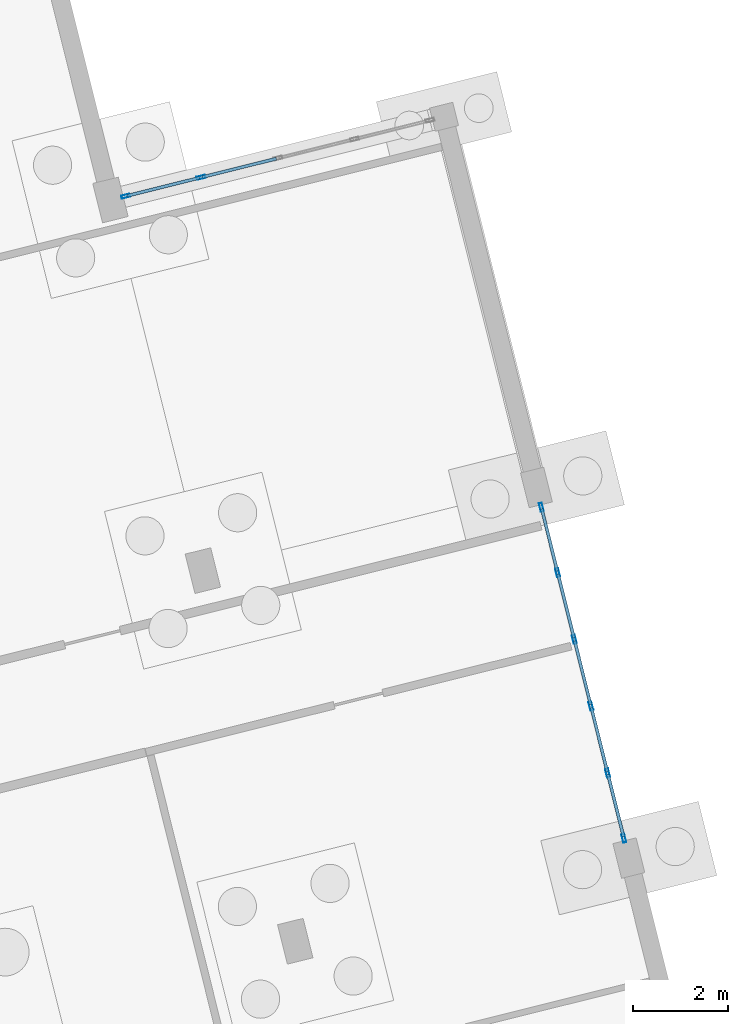
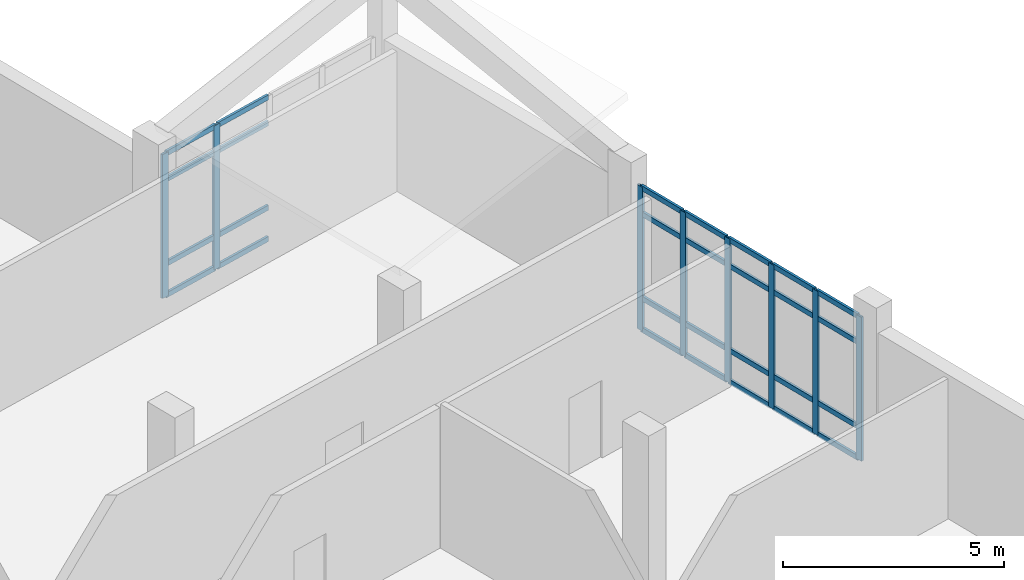
# One storey, part 95 of 173: 36 members, 2 elements without a shape of their own.
"""IFC4 building model written with IfcOpenShell, lengths in metres."""

import ifcopenshell
import ifcopenshell.guid

model = None  # the IFC model being written
_history = None  # IfcOwnerHistory: only IFC2X3 demands one
_inside = {}  # id of a spatial element -> (the spatial element, [elements in it])
_under = {}  # id of a project, library or spatial element -> (it, [spatial elements below it])
_declared = {}  # id of a project -> (the project, [libraries it declares])
_typed = {}  # id of a type object -> (the type object, [elements of that type])
_made_of = {}  # id of a material, layer set ... -> (it, [elements and type objects made of it])


def new_model(schema):
    """Start an empty IFC model of exactly this schema.

    Asked for "IFC4X3", IfcOpenShell would pick the latest addendum, in which some entities
    have other attributes; the version numbers below select the first issue.
    IFC2X3 requires an IfcOwnerHistory on every rooted entity: one is made here for all.
    """
    global model, _history
    if schema == "IFC4X3":
        model = ifcopenshell.file(schema_version=(4, 3, 0, 0))
    else:
        model = ifcopenshell.file(schema=schema)
    _inside.clear()
    _under.clear()
    _declared.clear()
    _typed.clear()
    _made_of.clear()
    _history = None
    if model.schema == "IFC2X3":
        org = make("IfcOrganization", Name="unknown")
        user = make(
            "IfcPersonAndOrganization",
            ThePerson=make("IfcPerson", FamilyName="unknown"),
            TheOrganization=org,
        )
        app = make(
            "IfcApplication",
            ApplicationDeveloper=org,
            Version="unknown",
            ApplicationFullName="unknown",
            ApplicationIdentifier="unknown",
        )
        _history = make(
            "IfcOwnerHistory",
            OwningUser=user,
            OwningApplication=app,
            ChangeAction="ADDED",
            CreationDate=0,
        )
    return model


def make(cls, **values):
    """One entity of the class cls with the attributes given. An attribute that is None is left unset."""
    return model.create_entity(
        cls, **{name: value for name, value in values.items() if value is not None}
    )


def rooted(cls, **values):
    """An entity with a GlobalId (a new one), such as an element, a storey or a relation."""
    return make(cls, GlobalId=ifcopenshell.guid.new(), OwnerHistory=_history, **values)


def si_unit(unit_type, name, prefix=None):
    """IfcSIUnit, for example si_unit("LENGTHUNIT", "METRE", prefix="MILLI")."""
    return make("IfcSIUnit", UnitType=unit_type, Prefix=prefix, Name=name)


def assignment(units):
    """IfcUnitAssignment: the units of a project."""
    return None if units is None else make("IfcUnitAssignment", Units=units)


def point(xyz):
    """IfcCartesianPoint."""
    return None if xyz is None else make("IfcCartesianPoint", Coordinates=xyz)


def direction(xyz):
    """IfcDirection."""
    return None if xyz is None else make("IfcDirection", DirectionRatios=xyz)


def frame(location, z_axis=None, x_axis=None):
    """IfcAxis2Placement3D, a coordinate frame: its origin and axes. An axis left out is left unset."""
    return make(
        "IfcAxis2Placement3D",
        Location=point(location),
        Axis=direction(z_axis),
        RefDirection=direction(x_axis),
    )


def frame_2d(location, x_axis=None):
    """IfcAxis2Placement2D, a coordinate frame in the plane: its origin and x axis."""
    return make(
        "IfcAxis2Placement2D", Location=point(location), RefDirection=direction(x_axis)
    )


def origin():
    """The frame at (0, 0, 0) with its axes left unset."""
    return frame((0.0, 0.0, 0.0))


def origin_2d():
    """The frame at (0, 0) in the plane with its x axis left unset."""
    return frame_2d((0.0, 0.0))


def place(relative_to, where):
    """IfcLocalPlacement: puts the frame where relative to a parent placement (None: the world)."""
    return make(
        "IfcLocalPlacement", PlacementRelTo=relative_to, RelativePlacement=where
    )


def context(
    kind, dimensions, precision=None, world=None, true_north=None, identifier=None
):
    """IfcGeometricRepresentationContext, for example the 3D "Model" context."""
    return make(
        "IfcGeometricRepresentationContext",
        ContextIdentifier=identifier,
        ContextType=kind,
        CoordinateSpaceDimension=dimensions,
        Precision=precision,
        WorldCoordinateSystem=world,
        TrueNorth=true_north,
    )


def subcontext(parent, identifier, kind, view, scale=None):
    """IfcGeometricRepresentationSubContext, for example "Body" below "Model"."""
    return make(
        "IfcGeometricRepresentationSubContext",
        ContextIdentifier=identifier,
        ContextType=kind,
        ParentContext=parent,
        TargetScale=scale,
        TargetView=view,
    )


def project(units=None, contexts=None):
    """IfcProject with its units and contexts."""
    return rooted(
        "IfcProject",
        Name="project",
        RepresentationContexts=contexts,
        UnitsInContext=assignment(units),
    )


def spatial(cls, under=None, at=None, **own):
    """A site, building, storey or space (cls), placed at a placement, below another one or the project."""
    s = rooted(cls, ObjectPlacement=at, **own)
    if under is not None:
        _under.setdefault(under.id(), (under, []))[1].append(s)
    return s


def profile(cls, at=None, kind="AREA", **sizes):
    """A parametric profile (cls). Its sizes go by their IFC names, for example OverallWidth=200.0."""
    return make(cls, ProfileType=kind, Position=at, **sizes)


def hollow_rectangle(**sizes):
    """IfcRectangleHollowProfileDef."""
    return profile("IfcRectangleHollowProfileDef", **sizes)


def extrude(swept, where, along, depth):
    """IfcExtrudedAreaSolid: the profile swept, set in the frame where, extruded along a direction by depth."""
    return make(
        "IfcExtrudedAreaSolid",
        SweptArea=swept,
        Position=where,
        ExtrudedDirection=direction(along),
        Depth=depth,
    )


def shape(context_of_items, identifier, shape_type, items):
    """IfcShapeRepresentation: the items that make up one representation, for example the "Body"."""
    return make(
        "IfcShapeRepresentation",
        ContextOfItems=context_of_items,
        RepresentationIdentifier=identifier,
        RepresentationType=shape_type,
        Items=items,
    )


def material(Name=None, Category=None):
    """IfcMaterial."""
    return make("IfcMaterial", Name=Name, Category=Category)


def layer(
    of_material, thickness, ventilated=None, Name=None, Category=None, Priority=None
):
    """IfcMaterialLayer: one layer of a wall or slab, of a material (None: an air gap)."""
    return make(
        "IfcMaterialLayer",
        Material=of_material,
        LayerThickness=thickness,
        IsVentilated=ventilated,
        Name=Name,
        Category=Category,
        Priority=Priority,
    )


def layer_set(layers, Name=None):
    """IfcMaterialLayerSet."""
    return make("IfcMaterialLayerSet", MaterialLayers=layers, LayerSetName=Name)


def material_profile(
    of_material, cross_section, Name=None, Category=None, Priority=None
):
    """IfcMaterialProfile: a cross section and its material."""
    return make(
        "IfcMaterialProfile",
        Name=Name,
        Material=of_material,
        Profile=cross_section,
        Priority=Priority,
        Category=Category,
    )


def profile_set(profiles, Name=None, composite=None):
    """IfcMaterialProfileSet."""
    return make(
        "IfcMaterialProfileSet",
        Name=Name,
        MaterialProfiles=profiles,
        CompositeProfile=composite,
    )


def made_of(thing, what):
    """Note that an element or type object is made of a material, layer set ...; save() writes the relation."""
    if what is not None:
        _made_of.setdefault(what.id(), (what, []))[1].append(thing)
    return thing


def type_object(cls, material=None, **own):
    """A type object (cls), such as IfcWallType, which elements share."""
    return made_of(rooted(cls, **own), material)


def element(
    cls,
    number,
    at=None,
    inside=None,
    cuts=None,
    type_object=None,
    material=None,
    context=None,
    identifier="Body",
    shape_type=None,
    held_by="IfcProductDefinitionShape",
    body=None,
    shapes=None,
    **own,
):
    """One element of the class cls, such as IfcWall. Its Tag is "e" and its number.

    at: its placement. inside: the storey or other place that contains it. cuts: it is an
    opening in that element (IfcRelVoidsElement). A single representation is given by context,
    identifier, shape_type and body (its items); several are given by shapes. held_by: the class
    of the entity that holds the representations. save() writes the other relations.
    """
    e = rooted(cls, Tag="e%d" % number, ObjectPlacement=at, **own)
    if body is not None:
        shapes = [shape(context, identifier, shape_type, body)]
    if shapes is not None:
        e.Representation = make(held_by, Representations=shapes)
    if inside is not None:
        _inside.setdefault(inside.id(), (inside, []))[1].append(e)
    if cuts is not None:
        rooted(
            "IfcRelVoidsElement", RelatingBuildingElement=cuts, RelatedOpeningElement=e
        )
    if type_object is not None:
        _typed.setdefault(type_object.id(), (type_object, []))[1].append(e)
    return made_of(e, material)


def aggregate(whole, parts):
    """IfcRelAggregates: a whole, such as a stair, and the parts it consists of."""
    return rooted("IfcRelAggregates", RelatingObject=whole, RelatedObjects=parts)


def save(model, path):
    """Write the relations noted so far, then the file.

    IfcRelAggregates (storeys below a building ...), IfcRelContainedInSpatialStructure (elements
    in a storey), IfcRelDefinesByType, IfcRelAssociatesMaterial and IfcRelDeclares: one each for
    every whole, place, type object, material and project.
    """
    for whole, parts in _under.values():
        aggregate(whole, parts)
    for where, things in _inside.values():
        rooted(
            "IfcRelContainedInSpatialStructure",
            RelatedElements=things,
            RelatingStructure=where,
        )
    for kind, things in _typed.values():
        rooted("IfcRelDefinesByType", RelatedObjects=things, RelatingType=kind)
    for what, things in _made_of.values():
        rooted("IfcRelAssociatesMaterial", RelatedObjects=things, RelatingMaterial=what)
    for by, libraries in _declared.values():
        rooted("IfcRelDeclares", RelatingContext=by, RelatedDefinitions=libraries)
    model.write(path)


model = new_model("IFC4")

# Units and contexts
model_context = context("Model", 3, precision=1e-05, world=origin(), true_north=direction((0.0, 1.0)))
body_context = subcontext(model_context, "Body", "Model", "MODEL_VIEW")
ifc_project = project(units=[si_unit("LENGTHUNIT", "METRE"), si_unit("AREAUNIT", "SQUARE_METRE"), si_unit("VOLUMEUNIT", "CUBIC_METRE"), si_unit("PLANEANGLEUNIT", "RADIAN"), si_unit("MASSUNIT", "GRAM", prefix="KILO")], contexts=[model_context])

# Site, building, storey
site_placement = place(None, origin())
site = spatial("IfcSite", under=ifc_project, at=site_placement, CompositionType="ELEMENT")
building_placement = place(site_placement, origin())
building = spatial("IfcBuilding", under=site, at=building_placement, Name="Mawjan Specialist Oncology Clinic", CompositionType="ELEMENT")
storey_placement = place(building_placement, origin())
storey = spatial("IfcBuildingStorey", under=building, at=storey_placement, Name="L00", CompositionType="ELEMENT", Elevation=0.0)

# Curtain wall, members
ifc_material_1 = material(Name="Unitised spectrally selective aluminium curtain wall", Category="aluminium")
ifc_layer_1 = layer(ifc_material_1, 0.179931640625, Name="Unitised spectrally selective aluminium curtain wall", Category="aluminium")
ifc_layer_set_1 = layer_set([ifc_layer_1], Name="Unitised spectrally selective aluminium curtain wall")
curtain_wall_type_1 = type_object("IfcCurtainWallType", Name="CW-34", PredefinedType="NOTDEFINED", material=ifc_layer_set_1)
curtain_wall_1_placement = place(storey_placement, origin())
curtain_wall_1 = element("IfcCurtainWall", 1, at=curtain_wall_1_placement, inside=storey, type_object=curtain_wall_type_1, Name="L00 Unitised Curtain Wall CW-L00-075", PredefinedType="NOTDEFINED")
ifc_material_2 = material(Name="Thermally broken aluminium 6063-T6", Category="aluminium")
ifc_material_profile_1 = material_profile(ifc_material_2, hollow_rectangle(XDim=0.06494140625, YDim=0.179931640625, WallThickness=0.00390625, at=origin_2d()), Name="ALU MULLION 180x65x4", Category="aluminium")
ifc_profile_set_1 = profile_set([ifc_material_profile_1], Name="Thermally broken aluminium 6063-T6")
member_type_1 = type_object("IfcMemberType", Name="CW-M180", PredefinedType="MULLION", material=ifc_profile_set_1)
member_1_placement = place(storey_placement, frame((157.163330078125, 24.619140625, 0.0), z_axis=(0.0, 0.0, 1.0), x_axis=(0.970295720441, 0.241921919004, 0.0)))
member_1 = element("IfcMember", 2, at=member_1_placement, type_object=member_type_1, Name="CW-34 mullion 1", PredefinedType="MULLION", context=body_context, shape_type="SweptSolid", body=[
    extrude(hollow_rectangle(XDim=0.06494140625, YDim=0.179931640625, WallThickness=0.00390625, at=origin_2d()), origin(), (0.0, 0.0, 1.0), 3.985107421875),
])
member_2_placement = place(storey_placement, frame((157.50439453125, 23.25146484375, 0.0), z_axis=(0.0, 0.0, 1.0), x_axis=(0.970295720441, 0.241921919004, 0.0)))
member_2 = element("IfcMember", 3, at=member_2_placement, type_object=member_type_1, Name="CW-34 mullion 2", PredefinedType="MULLION", context=body_context, shape_type="SweptSolid", body=[
    extrude(hollow_rectangle(XDim=0.06494140625, YDim=0.179931640625, WallThickness=0.00390625, at=origin_2d()), origin(), (0.0, 0.0, 1.0), 3.985107421875),
])
member_3_placement = place(storey_placement, frame((157.853271484375, 21.852294921875, 0.0), z_axis=(0.0, 0.0, 1.0), x_axis=(0.970295720441, 0.241921919004, 0.0)))
member_3 = element("IfcMember", 4, at=member_3_placement, type_object=member_type_1, Name="CW-34 mullion 3", PredefinedType="MULLION", context=body_context, shape_type="SweptSolid", body=[
    extrude(hollow_rectangle(XDim=0.06494140625, YDim=0.179931640625, WallThickness=0.00390625, at=origin_2d()), origin(), (0.0, 0.0, 1.0), 3.985107421875),
])
member_4_placement = place(storey_placement, frame((158.201904296875, 20.453125, 0.0), z_axis=(0.0, 0.0, 1.0), x_axis=(0.970295720441, 0.241921919004, 0.0)))
member_4 = element("IfcMember", 5, at=member_4_placement, type_object=member_type_1, Name="CW-34 mullion 4", PredefinedType="MULLION", context=body_context, shape_type="SweptSolid", body=[
    extrude(hollow_rectangle(XDim=0.06494140625, YDim=0.179931640625, WallThickness=0.00390625, at=origin_2d()), origin(), (0.0, 0.0, 1.0), 3.985107421875),
])
member_5_placement = place(storey_placement, frame((158.55078125, 19.053955078125, 0.0), z_axis=(0.0, 0.0, 1.0), x_axis=(0.970295720441, 0.241921919004, 0.0)))
member_5 = element("IfcMember", 6, at=member_5_placement, type_object=member_type_1, Name="CW-34 mullion 5", PredefinedType="MULLION", context=body_context, shape_type="SweptSolid", body=[
    extrude(hollow_rectangle(XDim=0.06494140625, YDim=0.179931640625, WallThickness=0.00390625, at=origin_2d()), origin(), (0.0, 0.0, 1.0), 3.985107421875),
])
member_6_placement = place(storey_placement, frame((158.891845703125, 17.686279296875, 0.0), z_axis=(0.0, 0.0, 1.0), x_axis=(0.970295720441, 0.241921919004, 0.0)))
member_6 = element("IfcMember", 7, at=member_6_placement, type_object=member_type_1, Name="CW-34 mullion 6", PredefinedType="MULLION", context=body_context, shape_type="SweptSolid", body=[
    extrude(hollow_rectangle(XDim=0.06494140625, YDim=0.179931640625, WallThickness=0.00390625, at=origin_2d()), origin(), (0.0, 0.0, 1.0), 3.985107421875),
])

ifc_material_3 = material(Name="Unitised spectrally selective aluminium curtain wall", Category="aluminium")
ifc_layer_2 = layer(ifc_material_3, 0.179931640625, Name="Unitised spectrally selective aluminium curtain wall", Category="aluminium")
ifc_layer_set_2 = layer_set([ifc_layer_2], Name="Unitised spectrally selective aluminium curtain wall")
curtain_wall_type_2 = type_object("IfcCurtainWallType", Name="CW-41", PredefinedType="NOTDEFINED", material=ifc_layer_set_2)
curtain_wall_2_placement = place(storey_placement, origin())
curtain_wall_2 = element("IfcCurtainWall", 8, at=curtain_wall_2_placement, inside=storey, type_object=curtain_wall_type_2, Name="L00 Unitised Curtain Wall CW-L00-085", PredefinedType="NOTDEFINED")
member_7_placement = place(storey_placement, frame((148.4560546875, 31.1337890625, 0.0), z_axis=(0.0, 0.0, 1.0), x_axis=(-0.241921932281, 0.97029571713, 0.0)))
member_7 = element("IfcMember", 9, at=member_7_placement, type_object=member_type_1, Name="CW-41 mullion 1", PredefinedType="MULLION", context=body_context, shape_type="SweptSolid", body=[
    extrude(hollow_rectangle(XDim=0.06494140625, YDim=0.179931640625, WallThickness=0.00390625, at=origin_2d()), origin(), (0.0, 0.0, 1.0), 3.985107421875),
])
member_8_placement = place(storey_placement, frame((150.0341796875, 31.527099609375, 0.0), z_axis=(0.0, 0.0, 1.0), x_axis=(-0.241921932281, 0.97029571713, 0.0)))
member_8 = element("IfcMember", 10, at=member_8_placement, type_object=member_type_1, Name="CW-41 mullion 2", PredefinedType="MULLION", context=body_context, shape_type="SweptSolid", body=[
    extrude(hollow_rectangle(XDim=0.06494140625, YDim=0.179931640625, WallThickness=0.00390625, at=origin_2d()), origin(), (0.0, 0.0, 1.0), 3.985107421875),
])

# Member
ifc_material_4 = material(Name="Thermally broken aluminium 6063-T6", Category="aluminium")
ifc_material_profile_2 = material_profile(ifc_material_4, hollow_rectangle(XDim=0.06494140625, YDim=0.139892578125, WallThickness=0.00390625, at=origin_2d()), Name="ALU TRANSOM 140x65x4", Category="aluminium")
ifc_profile_set_2 = profile_set([ifc_material_profile_2], Name="Thermally broken aluminium 6063-T6")
member_type_2 = type_object("IfcMemberType", Name="CW-T140", PredefinedType="USERDEFINED", material=ifc_profile_set_2)
member_9_placement = place(storey_placement, frame((157.171142578125, 24.587646484375, 0.032470703125), z_axis=(0.241852005023, -0.97031314928, 0.0), x_axis=(0.97031314928, 0.241852005023, 0.0)))
member_9 = element("IfcMember", 11, at=member_9_placement, type_object=member_type_2, Name="CW-34 transom 1.1", ObjectType="TRANSOM", PredefinedType="USERDEFINED", context=body_context, shape_type="SweptSolid", body=[
    extrude(hollow_rectangle(XDim=0.06494140625, YDim=0.139892578125, WallThickness=0.00390625, at=origin_2d()), origin(), (0.0, 0.0, 1.0), 1.3447265625),
])

member_10_placement = place(storey_placement, frame((157.171142578125, 24.587646484375, 0.89990234375), z_axis=(0.241852005023, -0.97031314928, 0.0), x_axis=(0.97031314928, 0.241852005023, 0.0)))
member_10 = element("IfcMember", 12, at=member_10_placement, type_object=member_type_2, Name="CW-34 transom 1.2", ObjectType="TRANSOM", PredefinedType="USERDEFINED", context=body_context, shape_type="SweptSolid", body=[
    extrude(hollow_rectangle(XDim=0.06494140625, YDim=0.139892578125, WallThickness=0.00390625, at=origin_2d()), origin(), (0.0, 0.0, 1.0), 1.3447265625),
])

member_11_placement = place(storey_placement, frame((157.171142578125, 24.587646484375, 3.235107421875), z_axis=(0.241852005023, -0.97031314928, 0.0), x_axis=(0.97031314928, 0.241852005023, 0.0)))
member_11 = element("IfcMember", 13, at=member_11_placement, type_object=member_type_2, Name="CW-34 transom 1.3", ObjectType="TRANSOM", PredefinedType="USERDEFINED", context=body_context, shape_type="SweptSolid", body=[
    extrude(hollow_rectangle(XDim=0.06494140625, YDim=0.139892578125, WallThickness=0.00390625, at=origin_2d()), origin(), (0.0, 0.0, 1.0), 1.3447265625),
])

member_12_placement = place(storey_placement, frame((157.171142578125, 24.587646484375, 3.952392578125), z_axis=(0.241852005023, -0.97031314928, 0.0), x_axis=(0.97031314928, 0.241852005023, 0.0)))
member_12 = element("IfcMember", 14, at=member_12_placement, type_object=member_type_2, Name="CW-34 transom 1.4", ObjectType="TRANSOM", PredefinedType="USERDEFINED", context=body_context, shape_type="SweptSolid", body=[
    extrude(hollow_rectangle(XDim=0.06494140625, YDim=0.139892578125, WallThickness=0.00390625, at=origin_2d()), origin(), (0.0, 0.0, 1.0), 1.3447265625),
])

member_13_placement = place(storey_placement, frame((157.51220703125, 23.219970703125, 0.032470703125), z_axis=(0.241826391932, -0.970319533023, 0.0), x_axis=(0.970319533023, 0.241826391932, 0.0)))
member_13 = element("IfcMember", 15, at=member_13_placement, type_object=member_type_2, Name="CW-34 transom 2.1", ObjectType="TRANSOM", PredefinedType="USERDEFINED", context=body_context, shape_type="SweptSolid", body=[
    extrude(hollow_rectangle(XDim=0.06494140625, YDim=0.139892578125, WallThickness=0.00390625, at=origin_2d()), origin(), (0.0, 0.0, 1.0), 1.376953125),
])

member_14_placement = place(storey_placement, frame((157.51220703125, 23.219970703125, 0.89990234375), z_axis=(0.241826391932, -0.970319533023, 0.0), x_axis=(0.970319533023, 0.241826391932, 0.0)))
member_14 = element("IfcMember", 16, at=member_14_placement, type_object=member_type_2, Name="CW-34 transom 2.2", ObjectType="TRANSOM", PredefinedType="USERDEFINED", context=body_context, shape_type="SweptSolid", body=[
    extrude(hollow_rectangle(XDim=0.06494140625, YDim=0.139892578125, WallThickness=0.00390625, at=origin_2d()), origin(), (0.0, 0.0, 1.0), 1.376953125),
])

member_15_placement = place(storey_placement, frame((157.51220703125, 23.219970703125, 3.235107421875), z_axis=(0.241826391932, -0.970319533023, 0.0), x_axis=(0.970319533023, 0.241826391932, 0.0)))
member_15 = element("IfcMember", 17, at=member_15_placement, type_object=member_type_2, Name="CW-34 transom 2.3", ObjectType="TRANSOM", PredefinedType="USERDEFINED", context=body_context, shape_type="SweptSolid", body=[
    extrude(hollow_rectangle(XDim=0.06494140625, YDim=0.139892578125, WallThickness=0.00390625, at=origin_2d()), origin(), (0.0, 0.0, 1.0), 1.376953125),
])

member_16_placement = place(storey_placement, frame((157.51220703125, 23.219970703125, 3.952392578125), z_axis=(0.241826391932, -0.970319533023, 0.0), x_axis=(0.970319533023, 0.241826391932, 0.0)))
member_16 = element("IfcMember", 18, at=member_16_placement, type_object=member_type_2, Name="CW-34 transom 2.4", ObjectType="TRANSOM", PredefinedType="USERDEFINED", context=body_context, shape_type="SweptSolid", body=[
    extrude(hollow_rectangle(XDim=0.06494140625, YDim=0.139892578125, WallThickness=0.00390625, at=origin_2d()), origin(), (0.0, 0.0, 1.0), 1.376953125),
])

member_17_placement = place(storey_placement, frame((157.861083984375, 21.82080078125, 0.032470703125), z_axis=(0.241826391932, -0.970319533023, 0.0), x_axis=(0.970319533023, 0.241826391932, 0.0)))
member_17 = element("IfcMember", 19, at=member_17_placement, type_object=member_type_2, Name="CW-34 transom 3.1", ObjectType="TRANSOM", PredefinedType="USERDEFINED", context=body_context, shape_type="SweptSolid", body=[
    extrude(hollow_rectangle(XDim=0.06494140625, YDim=0.139892578125, WallThickness=0.00390625, at=origin_2d()), origin(), (0.0, 0.0, 1.0), 1.376953125),
])

member_18_placement = place(storey_placement, frame((157.861083984375, 21.82080078125, 0.89990234375), z_axis=(0.241826391932, -0.970319533023, 0.0), x_axis=(0.970319533023, 0.241826391932, 0.0)))
member_18 = element("IfcMember", 20, at=member_18_placement, type_object=member_type_2, Name="CW-34 transom 3.2", ObjectType="TRANSOM", PredefinedType="USERDEFINED", context=body_context, shape_type="SweptSolid", body=[
    extrude(hollow_rectangle(XDim=0.06494140625, YDim=0.139892578125, WallThickness=0.00390625, at=origin_2d()), origin(), (0.0, 0.0, 1.0), 1.376953125),
])

member_19_placement = place(storey_placement, frame((157.861083984375, 21.82080078125, 3.235107421875), z_axis=(0.241826391932, -0.970319533023, 0.0), x_axis=(0.970319533023, 0.241826391932, 0.0)))
member_19 = element("IfcMember", 21, at=member_19_placement, type_object=member_type_2, Name="CW-34 transom 3.3", ObjectType="TRANSOM", PredefinedType="USERDEFINED", context=body_context, shape_type="SweptSolid", body=[
    extrude(hollow_rectangle(XDim=0.06494140625, YDim=0.139892578125, WallThickness=0.00390625, at=origin_2d()), origin(), (0.0, 0.0, 1.0), 1.376953125),
])

member_20_placement = place(storey_placement, frame((157.861083984375, 21.82080078125, 3.952392578125), z_axis=(0.241826391932, -0.970319533023, 0.0), x_axis=(0.970319533023, 0.241826391932, 0.0)))
member_20 = element("IfcMember", 22, at=member_20_placement, type_object=member_type_2, Name="CW-34 transom 3.4", ObjectType="TRANSOM", PredefinedType="USERDEFINED", context=body_context, shape_type="SweptSolid", body=[
    extrude(hollow_rectangle(XDim=0.06494140625, YDim=0.139892578125, WallThickness=0.00390625, at=origin_2d()), origin(), (0.0, 0.0, 1.0), 1.376953125),
])

member_21_placement = place(storey_placement, frame((158.2099609375, 20.421630859375, 0.032470703125), z_axis=(0.241826391932, -0.970319533023, 0.0), x_axis=(0.970319533023, 0.241826391932, 0.0)))
member_21 = element("IfcMember", 23, at=member_21_placement, type_object=member_type_2, Name="CW-34 transom 4.1", ObjectType="TRANSOM", PredefinedType="USERDEFINED", context=body_context, shape_type="SweptSolid", body=[
    extrude(hollow_rectangle(XDim=0.06494140625, YDim=0.139892578125, WallThickness=0.00390625, at=origin_2d()), origin(), (0.0, 0.0, 1.0), 1.376953125),
])

member_22_placement = place(storey_placement, frame((158.2099609375, 20.421630859375, 0.89990234375), z_axis=(0.241826391932, -0.970319533023, 0.0), x_axis=(0.970319533023, 0.241826391932, 0.0)))
member_22 = element("IfcMember", 24, at=member_22_placement, type_object=member_type_2, Name="CW-34 transom 4.2", ObjectType="TRANSOM", PredefinedType="USERDEFINED", context=body_context, shape_type="SweptSolid", body=[
    extrude(hollow_rectangle(XDim=0.06494140625, YDim=0.139892578125, WallThickness=0.00390625, at=origin_2d()), origin(), (0.0, 0.0, 1.0), 1.376953125),
])

member_23_placement = place(storey_placement, frame((158.2099609375, 20.421630859375, 3.235107421875), z_axis=(0.241826391932, -0.970319533023, 0.0), x_axis=(0.970319533023, 0.241826391932, 0.0)))
member_23 = element("IfcMember", 25, at=member_23_placement, type_object=member_type_2, Name="CW-34 transom 4.3", ObjectType="TRANSOM", PredefinedType="USERDEFINED", context=body_context, shape_type="SweptSolid", body=[
    extrude(hollow_rectangle(XDim=0.06494140625, YDim=0.139892578125, WallThickness=0.00390625, at=origin_2d()), origin(), (0.0, 0.0, 1.0), 1.376953125),
])

member_24_placement = place(storey_placement, frame((158.2099609375, 20.421630859375, 3.952392578125), z_axis=(0.241826391932, -0.970319533023, 0.0), x_axis=(0.970319533023, 0.241826391932, 0.0)))
member_24 = element("IfcMember", 26, at=member_24_placement, type_object=member_type_2, Name="CW-34 transom 4.4", ObjectType="TRANSOM", PredefinedType="USERDEFINED", context=body_context, shape_type="SweptSolid", body=[
    extrude(hollow_rectangle(XDim=0.06494140625, YDim=0.139892578125, WallThickness=0.00390625, at=origin_2d()), origin(), (0.0, 0.0, 1.0), 1.376953125),
])

member_25_placement = place(storey_placement, frame((158.558837890625, 19.0224609375, 0.032470703125), z_axis=(0.241852005023, -0.97031314928, 0.0), x_axis=(0.97031314928, 0.241852005023, 0.0)))
member_25 = element("IfcMember", 27, at=member_25_placement, type_object=member_type_2, Name="CW-34 transom 5.1", ObjectType="TRANSOM", PredefinedType="USERDEFINED", context=body_context, shape_type="SweptSolid", body=[
    extrude(hollow_rectangle(XDim=0.06494140625, YDim=0.139892578125, WallThickness=0.00390625, at=origin_2d()), origin(), (0.0, 0.0, 1.0), 1.3447265625),
])

member_26_placement = place(storey_placement, frame((158.558837890625, 19.0224609375, 0.89990234375), z_axis=(0.241852005023, -0.97031314928, 0.0), x_axis=(0.97031314928, 0.241852005023, 0.0)))
member_26 = element("IfcMember", 28, at=member_26_placement, type_object=member_type_2, Name="CW-34 transom 5.2", ObjectType="TRANSOM", PredefinedType="USERDEFINED", context=body_context, shape_type="SweptSolid", body=[
    extrude(hollow_rectangle(XDim=0.06494140625, YDim=0.139892578125, WallThickness=0.00390625, at=origin_2d()), origin(), (0.0, 0.0, 1.0), 1.3447265625),
])

member_27_placement = place(storey_placement, frame((158.558837890625, 19.0224609375, 3.235107421875), z_axis=(0.241852005023, -0.97031314928, 0.0), x_axis=(0.97031314928, 0.241852005023, 0.0)))
member_27 = element("IfcMember", 29, at=member_27_placement, type_object=member_type_2, Name="CW-34 transom 5.3", ObjectType="TRANSOM", PredefinedType="USERDEFINED", context=body_context, shape_type="SweptSolid", body=[
    extrude(hollow_rectangle(XDim=0.06494140625, YDim=0.139892578125, WallThickness=0.00390625, at=origin_2d()), origin(), (0.0, 0.0, 1.0), 1.3447265625),
])

member_28_placement = place(storey_placement, frame((158.558837890625, 19.0224609375, 3.952392578125), z_axis=(0.241852005023, -0.97031314928, 0.0), x_axis=(0.97031314928, 0.241852005023, 0.0)))
member_28 = element("IfcMember", 30, at=member_28_placement, type_object=member_type_2, Name="CW-34 transom 5.4", ObjectType="TRANSOM", PredefinedType="USERDEFINED", context=body_context, shape_type="SweptSolid", body=[
    extrude(hollow_rectangle(XDim=0.06494140625, YDim=0.139892578125, WallThickness=0.00390625, at=origin_2d()), origin(), (0.0, 0.0, 1.0), 1.3447265625),
])

aggregate(curtain_wall_1, [member_1, member_2, member_3, member_4, member_5, member_6, member_9, member_10, member_11, member_12, member_13, member_14, member_15, member_16, member_17, member_18, member_19, member_20, member_21, member_22, member_23, member_24, member_25, member_26, member_27, member_28])

member_29_placement = place(storey_placement, frame((148.48779296875, 31.1416015625, 0.032470703125), z_axis=(0.970298672181, 0.241910079914, 0.0), x_axis=(-0.241910079914, 0.970298672181, 0.0)))
member_29 = element("IfcMember", 31, at=member_29_placement, type_object=member_type_2, Name="CW-41 transom 1.1", ObjectType="TRANSOM", PredefinedType="USERDEFINED", context=body_context, shape_type="SweptSolid", body=[
    extrude(hollow_rectangle(XDim=0.06494140625, YDim=0.139892578125, WallThickness=0.00390625, at=origin_2d()), origin(), (0.0, 0.0, 1.0), 1.561279296875),
])

member_30_placement = place(storey_placement, frame((148.48779296875, 31.1416015625, 0.89990234375), z_axis=(0.970298672181, 0.241910079914, 0.0), x_axis=(-0.241910079914, 0.970298672181, 0.0)))
member_30 = element("IfcMember", 32, at=member_30_placement, type_object=member_type_2, Name="CW-41 transom 1.2", ObjectType="TRANSOM", PredefinedType="USERDEFINED", context=body_context, shape_type="SweptSolid", body=[
    extrude(hollow_rectangle(XDim=0.06494140625, YDim=0.139892578125, WallThickness=0.00390625, at=origin_2d()), origin(), (0.0, 0.0, 1.0), 1.561279296875),
])

member_31_placement = place(storey_placement, frame((148.48779296875, 31.1416015625, 3.235107421875), z_axis=(0.970298672181, 0.241910079914, 0.0), x_axis=(-0.241910079914, 0.970298672181, 0.0)))
member_31 = element("IfcMember", 33, at=member_31_placement, type_object=member_type_2, Name="CW-41 transom 1.3", ObjectType="TRANSOM", PredefinedType="USERDEFINED", context=body_context, shape_type="SweptSolid", body=[
    extrude(hollow_rectangle(XDim=0.06494140625, YDim=0.139892578125, WallThickness=0.00390625, at=origin_2d()), origin(), (0.0, 0.0, 1.0), 1.561279296875),
])

member_32_placement = place(storey_placement, frame((148.48779296875, 31.1416015625, 3.952392578125), z_axis=(0.970298672181, 0.241910079914, 0.0), x_axis=(-0.241910079914, 0.970298672181, 0.0)))
member_32 = element("IfcMember", 34, at=member_32_placement, type_object=member_type_2, Name="CW-41 transom 1.4", ObjectType="TRANSOM", PredefinedType="USERDEFINED", context=body_context, shape_type="SweptSolid", body=[
    extrude(hollow_rectangle(XDim=0.06494140625, YDim=0.139892578125, WallThickness=0.00390625, at=origin_2d()), origin(), (0.0, 0.0, 1.0), 1.561279296875),
])

member_33_placement = place(storey_placement, frame((150.065673828125, 31.534912109375, 0.032470703125), z_axis=(0.970304484208, 0.241886766745, 0.0), x_axis=(-0.241886766745, 0.970304484208, 0.0)))
member_33 = element("IfcMember", 35, at=member_33_placement, type_object=member_type_2, Name="CW-41 transom 2.1", ObjectType="TRANSOM", PredefinedType="USERDEFINED", context=body_context, shape_type="SweptSolid", body=[
    extrude(hollow_rectangle(XDim=0.06494140625, YDim=0.139892578125, WallThickness=0.00390625, at=origin_2d()), origin(), (0.0, 0.0, 1.0), 1.59375),
])

member_34_placement = place(storey_placement, frame((150.065673828125, 31.534912109375, 0.89990234375), z_axis=(0.970304484208, 0.241886766745, 0.0), x_axis=(-0.241886766745, 0.970304484208, 0.0)))
member_34 = element("IfcMember", 36, at=member_34_placement, type_object=member_type_2, Name="CW-41 transom 2.2", ObjectType="TRANSOM", PredefinedType="USERDEFINED", context=body_context, shape_type="SweptSolid", body=[
    extrude(hollow_rectangle(XDim=0.06494140625, YDim=0.139892578125, WallThickness=0.00390625, at=origin_2d()), origin(), (0.0, 0.0, 1.0), 1.59375),
])

member_35_placement = place(storey_placement, frame((150.065673828125, 31.534912109375, 3.235107421875), z_axis=(0.970304484208, 0.241886766745, 0.0), x_axis=(-0.241886766745, 0.970304484208, 0.0)))
member_35 = element("IfcMember", 37, at=member_35_placement, type_object=member_type_2, Name="CW-41 transom 2.3", ObjectType="TRANSOM", PredefinedType="USERDEFINED", context=body_context, shape_type="SweptSolid", body=[
    extrude(hollow_rectangle(XDim=0.06494140625, YDim=0.139892578125, WallThickness=0.00390625, at=origin_2d()), origin(), (0.0, 0.0, 1.0), 1.59375),
])

member_36_placement = place(storey_placement, frame((150.065673828125, 31.534912109375, 3.952392578125), z_axis=(0.970304484208, 0.241886766745, 0.0), x_axis=(-0.241886766745, 0.970304484208, 0.0)))
member_36 = element("IfcMember", 38, at=member_36_placement, type_object=member_type_2, Name="CW-41 transom 2.4", ObjectType="TRANSOM", PredefinedType="USERDEFINED", context=body_context, shape_type="SweptSolid", body=[
    extrude(hollow_rectangle(XDim=0.06494140625, YDim=0.139892578125, WallThickness=0.00390625, at=origin_2d()), origin(), (0.0, 0.0, 1.0), 1.59375),
])

aggregate(curtain_wall_2, [member_7, member_8, member_29, member_30, member_31, member_32, member_33, member_34, member_35, member_36])

save(model, "model.ifc")
